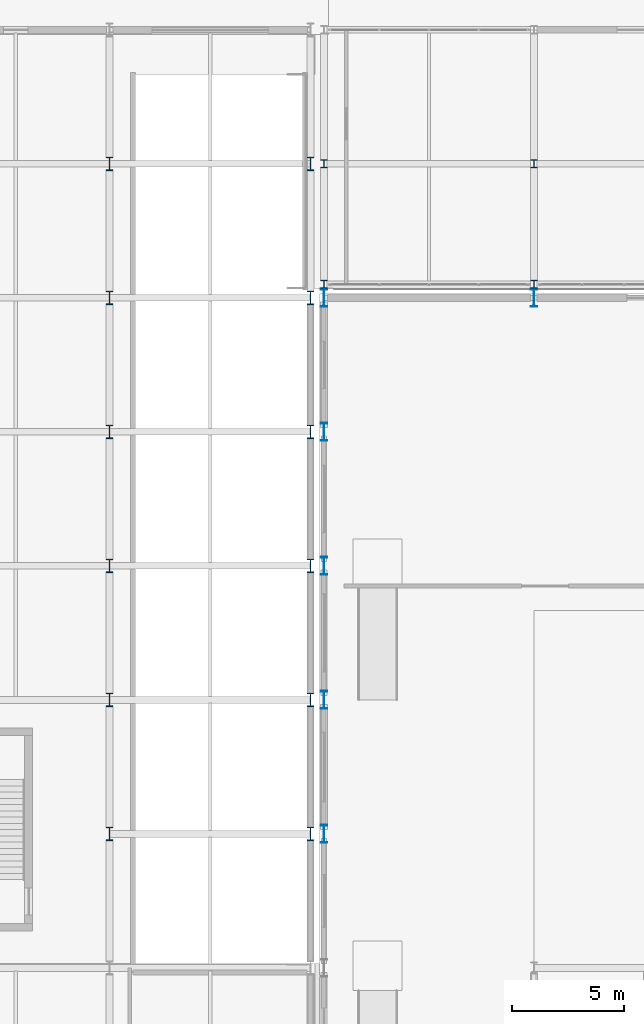
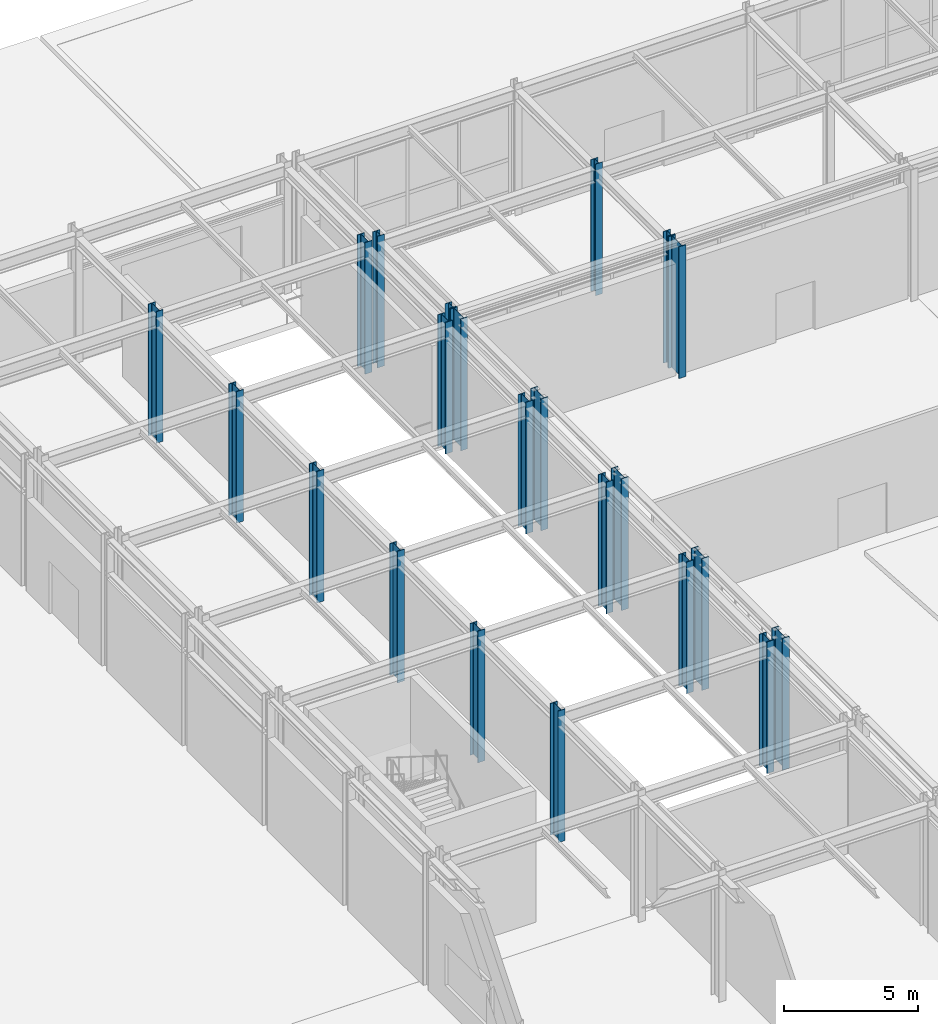
# One storey, part 17 of 146: 22 columns.
"""IFC4 building model written with IfcOpenShell, lengths in metres."""

from ifc_helpers import new_model, si_unit, direction, frame, origin, origin_2d, place, context, subcontext, project, spatial, i_section, extrude, material, material_profile, profile_set, type_object, element, save


model = new_model("IFC4")

# Units and contexts
model_context = context("Model", 3, precision=1e-05, world=origin(), true_north=direction((0.0, 1.0)))
body_context = subcontext(model_context, "Body", "Model", "MODEL_VIEW")
ifc_project = project(units=[si_unit("LENGTHUNIT", "METRE"), si_unit("AREAUNIT", "SQUARE_METRE"), si_unit("VOLUMEUNIT", "CUBIC_METRE"), si_unit("PLANEANGLEUNIT", "RADIAN"), si_unit("MASSUNIT", "GRAM", prefix="KILO")], contexts=[model_context])

# Site, building, storey
site_placement = place(None, origin())
site = spatial("IfcSite", under=ifc_project, at=site_placement, CompositionType="ELEMENT")
building_placement = place(site_placement, origin())
building = spatial("IfcBuilding", under=site, at=building_placement, Name="Kaldris Quays Convention Centre", CompositionType="ELEMENT")
storey_placement = place(building_placement, origin())
storey = spatial("IfcBuildingStorey", under=building, at=storey_placement, Name="L00", CompositionType="ELEMENT", Elevation=0.0)

# Columns
ifc_material = material(Name="Steel S355J2", Category="steel")
ifc_material_profile_1 = material_profile(ifc_material, i_section(OverallWidth=0.300048828125, OverallDepth=0.800048828125, WebThickness=0.017578125, FlangeThickness=0.032958984375, FilletRadius=0.030029296875, at=origin_2d()), Name="HEB 800")
ifc_profile_set_1 = profile_set([ifc_material_profile_1], Name="Steel S355J2")
column_type_1 = type_object("IfcColumnType", Name="STRUCTURAL COLUMN CL04", PredefinedType="COLUMN", material=ifc_profile_set_1)
for number, where, z_axis, x_axis, name in (
    (1, (164.60009765625, 80.0, 0.0), (0.0, 0.0, 1.0), (1.0, 0.0, 0.0), "L00 V2 Column CL04 (164.60, 80.00)"),
    (2, (164.60009765625, 86.0, 0.0), (0.0, 0.0, 1.0), (1.0, 0.0, 0.0), "L00 V2 Column CL04 (164.60, 86.00)"),
    (3, (164.60009765625, 92.0, 0.0), (0.0, 0.0, 1.0), (1.0, 0.0, 0.0), "L00 V2 Column CL04 (164.60, 92.00)"),
    (4, (164.60009765625, 98.0, 0.0), (0.0, 0.0, 1.0), (1.0, 0.0, 0.0), "L00 V2 Column CL04 (164.60, 98.00)"),
    (5, (164.60009765625, 104.0, 0.0), (0.0, 0.0, 1.0), (1.0, 0.0, 0.0), "L00 V2 Column CL04 (164.60, 104.00)"),
    (6, (174.0, 104.0, 0.0), (0.0, 0.0, 1.0), (1.0, 0.0, 0.0), "L00 V2 Column CL04 (174.00, 104.00)"),
):
    element("IfcColumn", number, at=place(storey_placement, frame(where, z_axis=z_axis, x_axis=x_axis)), inside=storey, type_object=column_type_1, Name=name, PredefinedType="COLUMN", context=body_context, shape_type="SweptSolid", body=[
        extrude(i_section(OverallWidth=0.300048828125, OverallDepth=0.800048828125, WebThickness=0.017578125, FlangeThickness=0.032958984375, FilletRadius=0.030029296875, at=origin_2d()), origin(), (0.0, 0.0, 1.0), 6.0),
    ])
ifc_material_profile_2 = material_profile(ifc_material, i_section(OverallWidth=0.300048828125, OverallDepth=0.60009765625, WebThickness=0.015380859375, FlangeThickness=0.030029296875, FilletRadius=0.027099609375, at=origin_2d()), Name="HEB 600")
ifc_profile_set_2 = profile_set([ifc_material_profile_2], Name="Steel S355J2")
column_type_2 = type_object("IfcColumnType", Name="STRUCTURAL COLUMN CL06", PredefinedType="COLUMN", material=ifc_profile_set_2)
for number, where, z_axis, x_axis, name in (
    (7, (155.0, 80.0, 0.0), (0.0, 0.0, 1.0), (1.0, 0.0, 0.0), "L00 V4 Column CL06 (155.00, 80.00)"),
    (8, (155.0, 86.0, 0.0), (0.0, 0.0, 1.0), (1.0, 0.0, 0.0), "L00 V4 Column CL06 (155.00, 86.00)"),
    (9, (155.0, 92.0, 0.0), (0.0, 0.0, 1.0), (1.0, 0.0, 0.0), "L00 V4 Column CL06 (155.00, 92.00)"),
    (10, (155.0, 98.0, 0.0), (0.0, 0.0, 1.0), (1.0, 0.0, 0.0), "L00 V4 Column CL06 (155.00, 98.00)"),
    (11, (155.0, 104.0, 0.0), (0.0, 0.0, 1.0), (1.0, 0.0, 0.0), "L00 V4 Column CL06 (155.00, 104.00)"),
    (12, (155.0, 110.0, 0.0), (0.0, 0.0, 1.0), (1.0, 0.0, 0.0), "L00 V4 Column CL06 (155.00, 110.00)"),
    (13, (164.0, 80.0, 0.0), (0.0, 0.0, 1.0), (1.0, 0.0, 0.0), "L00 V4 Column CL06 (164.00, 80.00)"),
    (14, (164.0, 86.0, 0.0), (0.0, 0.0, 1.0), (1.0, 0.0, 0.0), "L00 V4 Column CL06 (164.00, 86.00)"),
    (15, (164.0, 92.0, 0.0), (0.0, 0.0, 1.0), (1.0, 0.0, 0.0), "L00 V4 Column CL06 (164.00, 92.00)"),
    (16, (164.0, 98.0, 0.0), (0.0, 0.0, 1.0), (1.0, 0.0, 0.0), "L00 V4 Column CL06 (164.00, 98.00)"),
    (17, (164.0, 104.0, 0.0), (0.0, 0.0, 1.0), (1.0, 0.0, 0.0), "L00 V4 Column CL06 (164.00, 104.00)"),
    (18, (164.0, 110.0, 0.0), (0.0, 0.0, 1.0), (1.0, 0.0, 0.0), "L00 V4 Column CL06 (164.00, 110.00)"),
):
    element("IfcColumn", number, at=place(storey_placement, frame(where, z_axis=z_axis, x_axis=x_axis)), inside=storey, type_object=column_type_2, Name=name, PredefinedType="COLUMN", context=body_context, shape_type="SweptSolid", body=[
        extrude(i_section(OverallWidth=0.300048828125, OverallDepth=0.60009765625, WebThickness=0.015380859375, FlangeThickness=0.030029296875, FilletRadius=0.027099609375, at=origin_2d()), origin(), (0.0, 0.0, 1.0), 6.0),
    ])
ifc_material_profile_3 = material_profile(ifc_material, i_section(OverallWidth=0.300048828125, OverallDepth=0.360107421875, WebThickness=0.012451171875, FlangeThickness=0.0224609375, FilletRadius=0.027099609375, at=origin_2d()), Name="HEB 360")
ifc_profile_set_3 = profile_set([ifc_material_profile_3], Name="Steel S355J2")
column_type_3 = type_object("IfcColumnType", Name="STRUCTURAL COLUMN CL10", PredefinedType="COLUMN", material=ifc_profile_set_3)
for number, where, z_axis, x_axis, name in (
    (19, (164.60009765625, 104.60009765625, 0.0), (0.0, 0.0, 1.0), (1.0, 0.0, 0.0), "L00 V4 Column CL10 (164.60, 104.60)"),
    (20, (164.60009765625, 110.0, 0.0), (0.0, 0.0, 1.0), (1.0, 0.0, 0.0), "L00 V4 Column CL10 (164.60, 110.00)"),
    (21, (174.0, 104.60009765625, 0.0), (0.0, 0.0, 1.0), (1.0, 0.0, 0.0), "L00 V4 Column CL10 (174.00, 104.60)"),
    (22, (174.0, 110.0, 0.0), (0.0, 0.0, 1.0), (1.0, 0.0, 0.0), "L00 V4 Column CL10 (174.00, 110.00)"),
):
    element("IfcColumn", number, at=place(storey_placement, frame(where, z_axis=z_axis, x_axis=x_axis)), inside=storey, type_object=column_type_3, Name=name, PredefinedType="COLUMN", context=body_context, shape_type="SweptSolid", body=[
        extrude(i_section(OverallWidth=0.300048828125, OverallDepth=0.360107421875, WebThickness=0.012451171875, FlangeThickness=0.0224609375, FilletRadius=0.027099609375, at=origin_2d()), origin(), (0.0, 0.0, 1.0), 6.0),
    ])

save(model, "model.ifc")
